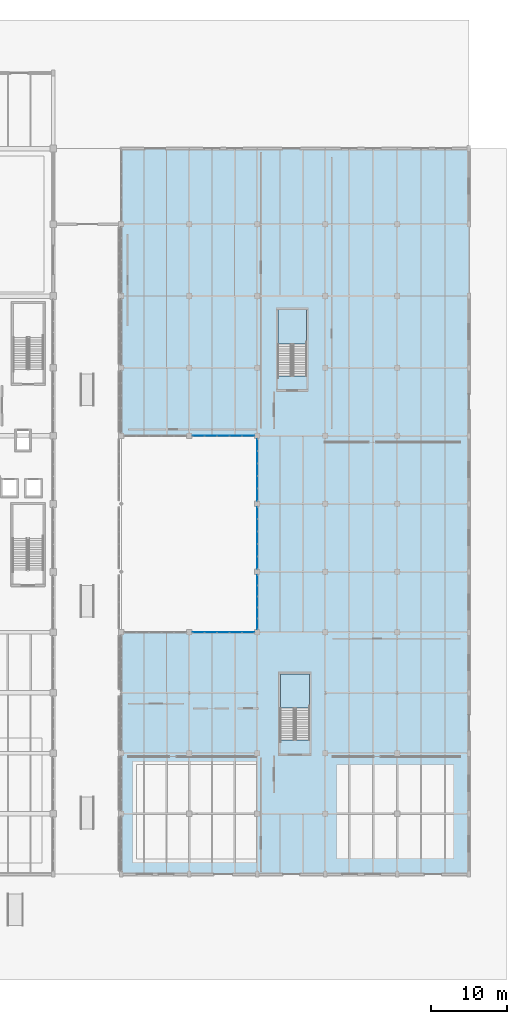
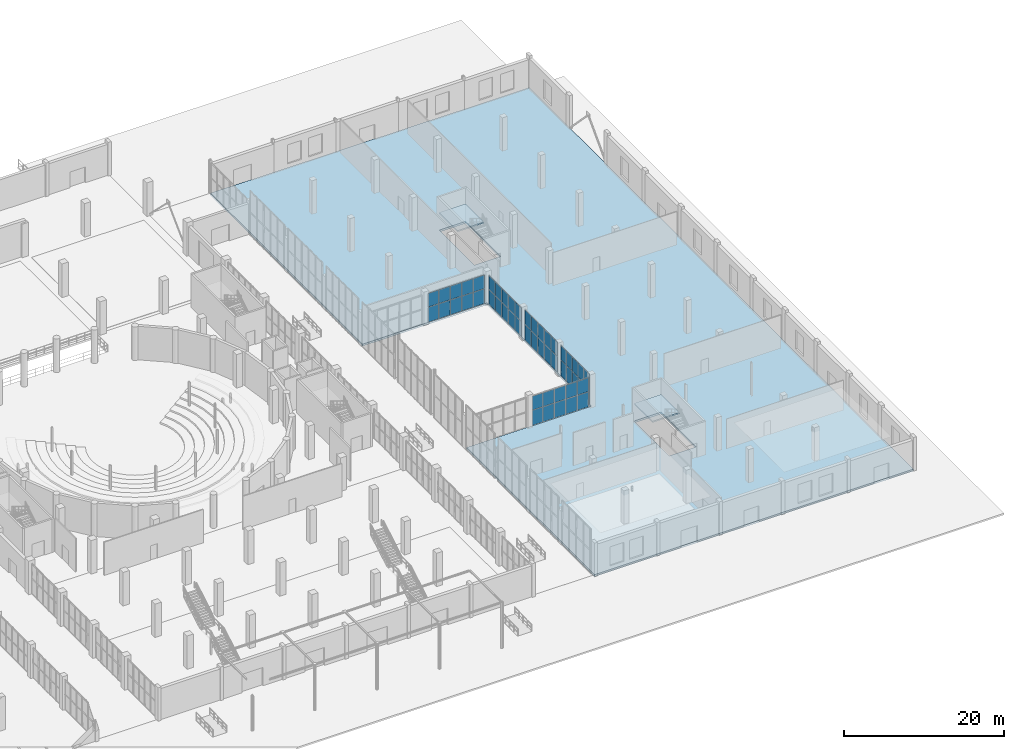
# One storey, part 75 of 103: 50 plates, 3 slabs, 7 elements without a shape of their own.
"""IFC4 building model written with IfcOpenShell, lengths in metres."""

from ifc_helpers import new_model, si_unit, direction, frame, origin, origin_2d, place, context, subcontext, project, spatial, polyline, rectangle, outline, extrude, material, layer, layer_set, type_object, element, aggregate, save


model = new_model("IFC4")

# Units and contexts
model_context = context("Model", 3, precision=1e-05, world=origin(), true_north=direction((0.0, 1.0)))
body_context = subcontext(model_context, "Body", "Model", "MODEL_VIEW")
ifc_project = project(units=[si_unit("LENGTHUNIT", "METRE"), si_unit("AREAUNIT", "SQUARE_METRE"), si_unit("VOLUMEUNIT", "CUBIC_METRE"), si_unit("PLANEANGLEUNIT", "RADIAN"), si_unit("MASSUNIT", "GRAM", prefix="KILO")], contexts=[model_context])

# Site, building, storey
site_placement = place(None, origin())
site = spatial("IfcSite", under=ifc_project, at=site_placement, CompositionType="ELEMENT")
building_placement = place(site_placement, origin())
building = spatial("IfcBuilding", under=site, at=building_placement, Name="Marnock Terrace Opera House", CompositionType="ELEMENT")
storey_placement = place(building_placement, origin())
storey = spatial("IfcBuildingStorey", under=building, at=storey_placement, Name="L00", CompositionType="ELEMENT", Elevation=0.0)

# Curtain wall, plates
ifc_material_1 = material(Name="Anodised architectural bronze aluminium framing", Category="aluminium")
ifc_layer_1 = layer(ifc_material_1, 0.159912109375)
ifc_layer_set_1 = layer_set([ifc_layer_1], Name="Anodised architectural bronze aluminium framing")
curtain_wall_type = type_object("IfcCurtainWallType", Name="CW-LOGGIA-86x51", PredefinedType="NOTDEFINED", material=ifc_layer_set_1)
curtain_wall_1_placement = place(storey_placement, origin())
curtain_wall_1 = element("IfcCurtainWall", 1, at=curtain_wall_1_placement, inside=storey, type_object=curtain_wall_type, Name="L00 glazed Beaux-Arts colonnade curtain wall CW-V5-L00-CS2", PredefinedType="NOTDEFINED")
ifc_material_2 = material(Name="Double-glazed acoustic low-E laminated glass", Category="glass")
ifc_layer_2 = layer(ifc_material_2, 0.028076171875)
ifc_layer_set_2 = layer_set([ifc_layer_2], Name="Double-glazed acoustic low-E laminated glass")
plate_type = type_object("IfcPlateType", Name="CWP-GLZ-28", PredefinedType="CURTAIN_PANEL", material=ifc_layer_set_2)
plate_1_placement = place(storey_placement, frame((128.2119140625, 40.0, 0.06005859375), z_axis=(0.0, 0.0, 1.0), x_axis=(1.0, 0.0, 0.0)))
plate_1 = element("IfcPlate", 2, at=plate_1_placement, type_object=plate_type, Name="CW-96 panel 1.1", PredefinedType="CURTAIN_PANEL", context=body_context, shape_type="SweptSolid", body=[
    extrude(rectangle(XDim=1.5615234375, YDim=0.028076171875, at=origin_2d()), origin(), (0.0, 0.0, 1.0), 2.279541015625),
])
plate_2_placement = place(storey_placement, frame((128.2119140625, 40.0, 2.3994140625), z_axis=(0.0, 0.0, 1.0), x_axis=(1.0, 0.0, 0.0)))
plate_2 = element("IfcPlate", 3, at=plate_2_placement, type_object=plate_type, Name="CW-96 panel 1.2", PredefinedType="CURTAIN_PANEL", context=body_context, shape_type="SweptSolid", body=[
    extrude(rectangle(XDim=1.5615234375, YDim=0.028076171875, at=origin_2d()), origin(), (0.0, 0.0, 1.0), 2.097412109375),
])
plate_3_placement = place(storey_placement, frame((129.848388671875, 40.0, 0.06005859375), z_axis=(0.0, 0.0, 1.0), x_axis=(1.0, 0.0, 0.0)))
plate_3 = element("IfcPlate", 4, at=plate_3_placement, type_object=plate_type, Name="CW-96 panel 2.1", PredefinedType="CURTAIN_PANEL", context=body_context, shape_type="SweptSolid", body=[
    extrude(rectangle(XDim=1.591552734375, YDim=0.028076171875, at=origin_2d()), origin(), (0.0, 0.0, 1.0), 2.279541015625),
])
plate_4_placement = place(storey_placement, frame((129.848388671875, 40.0, 2.3994140625), z_axis=(0.0, 0.0, 1.0), x_axis=(1.0, 0.0, 0.0)))
plate_4 = element("IfcPlate", 5, at=plate_4_placement, type_object=plate_type, Name="CW-96 panel 2.2", PredefinedType="CURTAIN_PANEL", context=body_context, shape_type="SweptSolid", body=[
    extrude(rectangle(XDim=1.591552734375, YDim=0.028076171875, at=origin_2d()), origin(), (0.0, 0.0, 1.0), 2.097412109375),
])
plate_5_placement = place(storey_placement, frame((131.5, 40.0, 0.06005859375), z_axis=(0.0, 0.0, 1.0), x_axis=(1.0, 0.0, 0.0)))
plate_5 = element("IfcPlate", 6, at=plate_5_placement, type_object=plate_type, Name="CW-96 panel 3.1", PredefinedType="CURTAIN_PANEL", context=body_context, shape_type="SweptSolid", body=[
    extrude(rectangle(XDim=1.591552734375, YDim=0.028076171875, at=origin_2d()), origin(), (0.0, 0.0, 1.0), 2.279541015625),
])
plate_6_placement = place(storey_placement, frame((131.5, 40.0, 2.3994140625), z_axis=(0.0, 0.0, 1.0), x_axis=(1.0, 0.0, 0.0)))
plate_6 = element("IfcPlate", 7, at=plate_6_placement, type_object=plate_type, Name="CW-96 panel 3.2", PredefinedType="CURTAIN_PANEL", context=body_context, shape_type="SweptSolid", body=[
    extrude(rectangle(XDim=1.591552734375, YDim=0.028076171875, at=origin_2d()), origin(), (0.0, 0.0, 1.0), 2.097412109375),
])
plate_7_placement = place(storey_placement, frame((133.151611328125, 40.0, 0.06005859375), z_axis=(0.0, 0.0, 1.0), x_axis=(1.0, 0.0, 0.0)))
plate_7 = element("IfcPlate", 8, at=plate_7_placement, type_object=plate_type, Name="CW-96 panel 4.1", PredefinedType="CURTAIN_PANEL", context=body_context, shape_type="SweptSolid", body=[
    extrude(rectangle(XDim=1.591552734375, YDim=0.028076171875, at=origin_2d()), origin(), (0.0, 0.0, 1.0), 2.279541015625),
])
plate_8_placement = place(storey_placement, frame((133.151611328125, 40.0, 2.3994140625), z_axis=(0.0, 0.0, 1.0), x_axis=(1.0, 0.0, 0.0)))
plate_8 = element("IfcPlate", 9, at=plate_8_placement, type_object=plate_type, Name="CW-96 panel 4.2", PredefinedType="CURTAIN_PANEL", context=body_context, shape_type="SweptSolid", body=[
    extrude(rectangle(XDim=1.591552734375, YDim=0.028076171875, at=origin_2d()), origin(), (0.0, 0.0, 1.0), 2.097412109375),
])
plate_9_placement = place(storey_placement, frame((134.7880859375, 40.0, 0.06005859375), z_axis=(0.0, 0.0, 1.0), x_axis=(1.0, 0.0, 0.0)))
plate_9 = element("IfcPlate", 10, at=plate_9_placement, type_object=plate_type, Name="CW-96 panel 5.1", PredefinedType="CURTAIN_PANEL", context=body_context, shape_type="SweptSolid", body=[
    extrude(rectangle(XDim=1.5615234375, YDim=0.028076171875, at=origin_2d()), origin(), (0.0, 0.0, 1.0), 2.279541015625),
])
plate_10_placement = place(storey_placement, frame((134.7880859375, 40.0, 2.3994140625), z_axis=(0.0, 0.0, 1.0), x_axis=(1.0, 0.0, 0.0)))
plate_10 = element("IfcPlate", 11, at=plate_10_placement, type_object=plate_type, Name="CW-96 panel 5.2", PredefinedType="CURTAIN_PANEL", context=body_context, shape_type="SweptSolid", body=[
    extrude(rectangle(XDim=1.5615234375, YDim=0.028076171875, at=origin_2d()), origin(), (0.0, 0.0, 1.0), 2.097412109375),
])
aggregate(curtain_wall_1, [plate_1, plate_2, plate_3, plate_4, plate_5, plate_6, plate_7, plate_8, plate_9, plate_10])

curtain_wall_2_placement = place(storey_placement, origin())
curtain_wall_2 = element("IfcCurtainWall", 12, at=curtain_wall_2_placement, inside=storey, type_object=curtain_wall_type, Name="L00 glazed Beaux-Arts colonnade curtain wall CW-V5-L00-CE1", PredefinedType="NOTDEFINED")
plate_11_placement = place(storey_placement, frame((136.0, 41.11181640625, 0.06005859375), z_axis=(0.0, 0.0, 1.0), x_axis=(0.0, 1.0, 0.0)))
plate_11 = element("IfcPlate", 13, at=plate_11_placement, type_object=plate_type, Name="CW-96 panel 1.1", PredefinedType="CURTAIN_PANEL", context=body_context, shape_type="SweptSolid", body=[
    extrude(rectangle(XDim=1.361572265625, YDim=0.028076171875, at=origin_2d()), origin(), (0.0, 0.0, 1.0), 2.371826171875),
])
plate_12_placement = place(storey_placement, frame((136.0, 41.11181640625, 2.491943359375), z_axis=(0.0, 0.0, 1.0), x_axis=(0.0, 1.0, 0.0)))
plate_12 = element("IfcPlate", 14, at=plate_12_placement, type_object=plate_type, Name="CW-96 panel 1.2", PredefinedType="CURTAIN_PANEL", context=body_context, shape_type="SweptSolid", body=[
    extrude(rectangle(XDim=1.361572265625, YDim=0.028076171875, at=origin_2d()), origin(), (0.0, 0.0, 1.0), 2.1826171875),
])
plate_13_placement = place(storey_placement, frame((136.0, 42.54833984375, 0.06005859375), z_axis=(0.0, 0.0, 1.0), x_axis=(0.0, 1.0, 0.0)))
plate_13 = element("IfcPlate", 15, at=plate_13_placement, type_object=plate_type, Name="CW-96 panel 2.1", PredefinedType="CURTAIN_PANEL", context=body_context, shape_type="SweptSolid", body=[
    extrude(rectangle(XDim=1.3916015625, YDim=0.028076171875, at=origin_2d()), origin(), (0.0, 0.0, 1.0), 2.371826171875),
])
plate_14_placement = place(storey_placement, frame((136.0, 42.54833984375, 2.491943359375), z_axis=(0.0, 0.0, 1.0), x_axis=(0.0, 1.0, 0.0)))
plate_14 = element("IfcPlate", 16, at=plate_14_placement, type_object=plate_type, Name="CW-96 panel 2.2", PredefinedType="CURTAIN_PANEL", context=body_context, shape_type="SweptSolid", body=[
    extrude(rectangle(XDim=1.3916015625, YDim=0.028076171875, at=origin_2d()), origin(), (0.0, 0.0, 1.0), 2.1826171875),
])
plate_15_placement = place(storey_placement, frame((136.0, 44.0, 0.06005859375), z_axis=(0.0, 0.0, 1.0), x_axis=(0.0, 1.0, 0.0)))
plate_15 = element("IfcPlate", 17, at=plate_15_placement, type_object=plate_type, Name="CW-96 panel 3.1", PredefinedType="CURTAIN_PANEL", context=body_context, shape_type="SweptSolid", body=[
    extrude(rectangle(XDim=1.3916015625, YDim=0.028076171875, at=origin_2d()), origin(), (0.0, 0.0, 1.0), 2.371826171875),
])
plate_16_placement = place(storey_placement, frame((136.0, 44.0, 2.491943359375), z_axis=(0.0, 0.0, 1.0), x_axis=(0.0, 1.0, 0.0)))
plate_16 = element("IfcPlate", 18, at=plate_16_placement, type_object=plate_type, Name="CW-96 panel 3.2", PredefinedType="CURTAIN_PANEL", context=body_context, shape_type="SweptSolid", body=[
    extrude(rectangle(XDim=1.3916015625, YDim=0.028076171875, at=origin_2d()), origin(), (0.0, 0.0, 1.0), 2.1826171875),
])
plate_17_placement = place(storey_placement, frame((136.0, 45.45166015625, 0.06005859375), z_axis=(0.0, 0.0, 1.0), x_axis=(0.0, 1.0, 0.0)))
plate_17 = element("IfcPlate", 19, at=plate_17_placement, type_object=plate_type, Name="CW-96 panel 4.1", PredefinedType="CURTAIN_PANEL", context=body_context, shape_type="SweptSolid", body=[
    extrude(rectangle(XDim=1.3916015625, YDim=0.028076171875, at=origin_2d()), origin(), (0.0, 0.0, 1.0), 2.371826171875),
])
plate_18_placement = place(storey_placement, frame((136.0, 45.45166015625, 2.491943359375), z_axis=(0.0, 0.0, 1.0), x_axis=(0.0, 1.0, 0.0)))
plate_18 = element("IfcPlate", 20, at=plate_18_placement, type_object=plate_type, Name="CW-96 panel 4.2", PredefinedType="CURTAIN_PANEL", context=body_context, shape_type="SweptSolid", body=[
    extrude(rectangle(XDim=1.3916015625, YDim=0.028076171875, at=origin_2d()), origin(), (0.0, 0.0, 1.0), 2.1826171875),
])
plate_19_placement = place(storey_placement, frame((136.0, 46.88818359375, 0.06005859375), z_axis=(0.0, 0.0, 1.0), x_axis=(0.0, 1.0, 0.0)))
plate_19 = element("IfcPlate", 21, at=plate_19_placement, type_object=plate_type, Name="CW-96 panel 5.1", PredefinedType="CURTAIN_PANEL", context=body_context, shape_type="SweptSolid", body=[
    extrude(rectangle(XDim=1.361572265625, YDim=0.028076171875, at=origin_2d()), origin(), (0.0, 0.0, 1.0), 2.371826171875),
])
plate_20_placement = place(storey_placement, frame((136.0, 46.88818359375, 2.491943359375), z_axis=(0.0, 0.0, 1.0), x_axis=(0.0, 1.0, 0.0)))
plate_20 = element("IfcPlate", 22, at=plate_20_placement, type_object=plate_type, Name="CW-96 panel 5.2", PredefinedType="CURTAIN_PANEL", context=body_context, shape_type="SweptSolid", body=[
    extrude(rectangle(XDim=1.361572265625, YDim=0.028076171875, at=origin_2d()), origin(), (0.0, 0.0, 1.0), 2.1826171875),
])
aggregate(curtain_wall_2, [plate_11, plate_12, plate_13, plate_14, plate_15, plate_16, plate_17, plate_18, plate_19, plate_20])

curtain_wall_3_placement = place(storey_placement, origin())
curtain_wall_3 = element("IfcCurtainWall", 23, at=curtain_wall_3_placement, inside=storey, type_object=curtain_wall_type, Name="L00 glazed Beaux-Arts colonnade curtain wall CW-V5-L00-CE2", PredefinedType="NOTDEFINED")
plate_21_placement = place(storey_placement, frame((136.0, 49.2119140625, 0.06005859375), z_axis=(0.0, 0.0, 1.0), x_axis=(0.0, 1.0, 0.0)))
plate_21 = element("IfcPlate", 24, at=plate_21_placement, type_object=plate_type, Name="CW-96 panel 1.1", PredefinedType="CURTAIN_PANEL", context=body_context, shape_type="SweptSolid", body=[
    extrude(rectangle(XDim=1.5615234375, YDim=0.028076171875, at=origin_2d()), origin(), (0.0, 0.0, 1.0), 2.371826171875),
])
plate_22_placement = place(storey_placement, frame((136.0, 49.2119140625, 2.491943359375), z_axis=(0.0, 0.0, 1.0), x_axis=(0.0, 1.0, 0.0)))
plate_22 = element("IfcPlate", 25, at=plate_22_placement, type_object=plate_type, Name="CW-96 panel 1.2", PredefinedType="CURTAIN_PANEL", context=body_context, shape_type="SweptSolid", body=[
    extrude(rectangle(XDim=1.5615234375, YDim=0.028076171875, at=origin_2d()), origin(), (0.0, 0.0, 1.0), 2.1826171875),
])
plate_23_placement = place(storey_placement, frame((136.0, 50.848388671875, 0.06005859375), z_axis=(0.0, 0.0, 1.0), x_axis=(0.0, 1.0, 0.0)))
plate_23 = element("IfcPlate", 26, at=plate_23_placement, type_object=plate_type, Name="CW-96 panel 2.1", PredefinedType="CURTAIN_PANEL", context=body_context, shape_type="SweptSolid", body=[
    extrude(rectangle(XDim=1.591552734375, YDim=0.028076171875, at=origin_2d()), origin(), (0.0, 0.0, 1.0), 2.371826171875),
])
plate_24_placement = place(storey_placement, frame((136.0, 50.848388671875, 2.491943359375), z_axis=(0.0, 0.0, 1.0), x_axis=(0.0, 1.0, 0.0)))
plate_24 = element("IfcPlate", 27, at=plate_24_placement, type_object=plate_type, Name="CW-96 panel 2.2", PredefinedType="CURTAIN_PANEL", context=body_context, shape_type="SweptSolid", body=[
    extrude(rectangle(XDim=1.591552734375, YDim=0.028076171875, at=origin_2d()), origin(), (0.0, 0.0, 1.0), 2.1826171875),
])
plate_25_placement = place(storey_placement, frame((136.0, 52.5, 0.06005859375), z_axis=(0.0, 0.0, 1.0), x_axis=(0.0, 1.0, 0.0)))
plate_25 = element("IfcPlate", 28, at=plate_25_placement, type_object=plate_type, Name="CW-96 panel 3.1", PredefinedType="CURTAIN_PANEL", context=body_context, shape_type="SweptSolid", body=[
    extrude(rectangle(XDim=1.591552734375, YDim=0.028076171875, at=origin_2d()), origin(), (0.0, 0.0, 1.0), 2.371826171875),
])
plate_26_placement = place(storey_placement, frame((136.0, 52.5, 2.491943359375), z_axis=(0.0, 0.0, 1.0), x_axis=(0.0, 1.0, 0.0)))
plate_26 = element("IfcPlate", 29, at=plate_26_placement, type_object=plate_type, Name="CW-96 panel 3.2", PredefinedType="CURTAIN_PANEL", context=body_context, shape_type="SweptSolid", body=[
    extrude(rectangle(XDim=1.591552734375, YDim=0.028076171875, at=origin_2d()), origin(), (0.0, 0.0, 1.0), 2.1826171875),
])
plate_27_placement = place(storey_placement, frame((136.0, 54.151611328125, 0.06005859375), z_axis=(0.0, 0.0, 1.0), x_axis=(0.0, 1.0, 0.0)))
plate_27 = element("IfcPlate", 30, at=plate_27_placement, type_object=plate_type, Name="CW-96 panel 4.1", PredefinedType="CURTAIN_PANEL", context=body_context, shape_type="SweptSolid", body=[
    extrude(rectangle(XDim=1.591552734375, YDim=0.028076171875, at=origin_2d()), origin(), (0.0, 0.0, 1.0), 2.371826171875),
])
plate_28_placement = place(storey_placement, frame((136.0, 54.151611328125, 2.491943359375), z_axis=(0.0, 0.0, 1.0), x_axis=(0.0, 1.0, 0.0)))
plate_28 = element("IfcPlate", 31, at=plate_28_placement, type_object=plate_type, Name="CW-96 panel 4.2", PredefinedType="CURTAIN_PANEL", context=body_context, shape_type="SweptSolid", body=[
    extrude(rectangle(XDim=1.591552734375, YDim=0.028076171875, at=origin_2d()), origin(), (0.0, 0.0, 1.0), 2.1826171875),
])
plate_29_placement = place(storey_placement, frame((136.0, 55.7880859375, 0.06005859375), z_axis=(0.0, 0.0, 1.0), x_axis=(0.0, 1.0, 0.0)))
plate_29 = element("IfcPlate", 32, at=plate_29_placement, type_object=plate_type, Name="CW-96 panel 5.1", PredefinedType="CURTAIN_PANEL", context=body_context, shape_type="SweptSolid", body=[
    extrude(rectangle(XDim=1.5615234375, YDim=0.028076171875, at=origin_2d()), origin(), (0.0, 0.0, 1.0), 2.371826171875),
])
plate_30_placement = place(storey_placement, frame((136.0, 55.7880859375, 2.491943359375), z_axis=(0.0, 0.0, 1.0), x_axis=(0.0, 1.0, 0.0)))
plate_30 = element("IfcPlate", 33, at=plate_30_placement, type_object=plate_type, Name="CW-96 panel 5.2", PredefinedType="CURTAIN_PANEL", context=body_context, shape_type="SweptSolid", body=[
    extrude(rectangle(XDim=1.5615234375, YDim=0.028076171875, at=origin_2d()), origin(), (0.0, 0.0, 1.0), 2.1826171875),
])
aggregate(curtain_wall_3, [plate_21, plate_22, plate_23, plate_24, plate_25, plate_26, plate_27, plate_28, plate_29, plate_30])

curtain_wall_4_placement = place(storey_placement, origin())
curtain_wall_4 = element("IfcCurtainWall", 34, at=curtain_wall_4_placement, inside=storey, type_object=curtain_wall_type, Name="L00 glazed Beaux-Arts colonnade curtain wall CW-V5-L00-CE3", PredefinedType="NOTDEFINED")
plate_31_placement = place(storey_placement, frame((136.0, 58.2119140625, 0.06005859375), z_axis=(0.0, 0.0, 1.0), x_axis=(0.0, 1.0, 0.0)))
plate_31 = element("IfcPlate", 35, at=plate_31_placement, type_object=plate_type, Name="CW-96 panel 1.1", PredefinedType="CURTAIN_PANEL", context=body_context, shape_type="SweptSolid", body=[
    extrude(rectangle(XDim=1.5615234375, YDim=0.028076171875, at=origin_2d()), origin(), (0.0, 0.0, 1.0), 2.243896484375),
])
plate_32_placement = place(storey_placement, frame((136.0, 58.2119140625, 2.36376953125), z_axis=(0.0, 0.0, 1.0), x_axis=(0.0, 1.0, 0.0)))
plate_32 = element("IfcPlate", 36, at=plate_32_placement, type_object=plate_type, Name="CW-96 panel 1.2", PredefinedType="CURTAIN_PANEL", context=body_context, shape_type="SweptSolid", body=[
    extrude(rectangle(XDim=1.5615234375, YDim=0.028076171875, at=origin_2d()), origin(), (0.0, 0.0, 1.0), 2.064208984375),
])
plate_33_placement = place(storey_placement, frame((136.0, 59.848388671875, 0.06005859375), z_axis=(0.0, 0.0, 1.0), x_axis=(0.0, 1.0, 0.0)))
plate_33 = element("IfcPlate", 37, at=plate_33_placement, type_object=plate_type, Name="CW-96 panel 2.1", PredefinedType="CURTAIN_PANEL", context=body_context, shape_type="SweptSolid", body=[
    extrude(rectangle(XDim=1.591552734375, YDim=0.028076171875, at=origin_2d()), origin(), (0.0, 0.0, 1.0), 2.243896484375),
])
plate_34_placement = place(storey_placement, frame((136.0, 59.848388671875, 2.36376953125), z_axis=(0.0, 0.0, 1.0), x_axis=(0.0, 1.0, 0.0)))
plate_34 = element("IfcPlate", 38, at=plate_34_placement, type_object=plate_type, Name="CW-96 panel 2.2", PredefinedType="CURTAIN_PANEL", context=body_context, shape_type="SweptSolid", body=[
    extrude(rectangle(XDim=1.591552734375, YDim=0.028076171875, at=origin_2d()), origin(), (0.0, 0.0, 1.0), 2.064208984375),
])
plate_35_placement = place(storey_placement, frame((136.0, 61.5, 0.06005859375), z_axis=(0.0, 0.0, 1.0), x_axis=(0.0, 1.0, 0.0)))
plate_35 = element("IfcPlate", 39, at=plate_35_placement, type_object=plate_type, Name="CW-96 panel 3.1", PredefinedType="CURTAIN_PANEL", context=body_context, shape_type="SweptSolid", body=[
    extrude(rectangle(XDim=1.591552734375, YDim=0.028076171875, at=origin_2d()), origin(), (0.0, 0.0, 1.0), 2.243896484375),
])
plate_36_placement = place(storey_placement, frame((136.0, 61.5, 2.36376953125), z_axis=(0.0, 0.0, 1.0), x_axis=(0.0, 1.0, 0.0)))
plate_36 = element("IfcPlate", 40, at=plate_36_placement, type_object=plate_type, Name="CW-96 panel 3.2", PredefinedType="CURTAIN_PANEL", context=body_context, shape_type="SweptSolid", body=[
    extrude(rectangle(XDim=1.591552734375, YDim=0.028076171875, at=origin_2d()), origin(), (0.0, 0.0, 1.0), 2.064208984375),
])
plate_37_placement = place(storey_placement, frame((136.0, 63.151611328125, 0.06005859375), z_axis=(0.0, 0.0, 1.0), x_axis=(0.0, 1.0, 0.0)))
plate_37 = element("IfcPlate", 41, at=plate_37_placement, type_object=plate_type, Name="CW-96 panel 4.1", PredefinedType="CURTAIN_PANEL", context=body_context, shape_type="SweptSolid", body=[
    extrude(rectangle(XDim=1.591552734375, YDim=0.028076171875, at=origin_2d()), origin(), (0.0, 0.0, 1.0), 2.243896484375),
])
plate_38_placement = place(storey_placement, frame((136.0, 63.151611328125, 2.36376953125), z_axis=(0.0, 0.0, 1.0), x_axis=(0.0, 1.0, 0.0)))
plate_38 = element("IfcPlate", 42, at=plate_38_placement, type_object=plate_type, Name="CW-96 panel 4.2", PredefinedType="CURTAIN_PANEL", context=body_context, shape_type="SweptSolid", body=[
    extrude(rectangle(XDim=1.591552734375, YDim=0.028076171875, at=origin_2d()), origin(), (0.0, 0.0, 1.0), 2.064208984375),
])
plate_39_placement = place(storey_placement, frame((136.0, 64.7880859375, 0.06005859375), z_axis=(0.0, 0.0, 1.0), x_axis=(0.0, 1.0, 0.0)))
plate_39 = element("IfcPlate", 43, at=plate_39_placement, type_object=plate_type, Name="CW-96 panel 5.1", PredefinedType="CURTAIN_PANEL", context=body_context, shape_type="SweptSolid", body=[
    extrude(rectangle(XDim=1.5615234375, YDim=0.028076171875, at=origin_2d()), origin(), (0.0, 0.0, 1.0), 2.243896484375),
])
plate_40_placement = place(storey_placement, frame((136.0, 64.7880859375, 2.36376953125), z_axis=(0.0, 0.0, 1.0), x_axis=(0.0, 1.0, 0.0)))
plate_40 = element("IfcPlate", 44, at=plate_40_placement, type_object=plate_type, Name="CW-96 panel 5.2", PredefinedType="CURTAIN_PANEL", context=body_context, shape_type="SweptSolid", body=[
    extrude(rectangle(XDim=1.5615234375, YDim=0.028076171875, at=origin_2d()), origin(), (0.0, 0.0, 1.0), 2.064208984375),
])
aggregate(curtain_wall_4, [plate_31, plate_32, plate_33, plate_34, plate_35, plate_36, plate_37, plate_38, plate_39, plate_40])

curtain_wall_5_placement = place(storey_placement, origin())
curtain_wall_5 = element("IfcCurtainWall", 45, at=curtain_wall_5_placement, inside=storey, type_object=curtain_wall_type, Name="L00 glazed Beaux-Arts colonnade curtain wall CW-V5-L00-CN2", PredefinedType="NOTDEFINED")
plate_41_placement = place(storey_placement, frame((128.2119140625, 66.0, 0.06005859375), z_axis=(0.0, 0.0, 1.0), x_axis=(1.0, 0.0, 0.0)))
plate_41 = element("IfcPlate", 46, at=plate_41_placement, type_object=plate_type, Name="CW-96 panel 1.1", PredefinedType="CURTAIN_PANEL", context=body_context, shape_type="SweptSolid", body=[
    extrude(rectangle(XDim=1.5615234375, YDim=0.028076171875, at=origin_2d()), origin(), (0.0, 0.0, 1.0), 2.23876953125),
])
plate_42_placement = place(storey_placement, frame((128.2119140625, 66.0, 2.35888671875), z_axis=(0.0, 0.0, 1.0), x_axis=(1.0, 0.0, 0.0)))
plate_42 = element("IfcPlate", 47, at=plate_42_placement, type_object=plate_type, Name="CW-96 panel 1.2", PredefinedType="CURTAIN_PANEL", context=body_context, shape_type="SweptSolid", body=[
    extrude(rectangle(XDim=1.5615234375, YDim=0.028076171875, at=origin_2d()), origin(), (0.0, 0.0, 1.0), 2.0595703125),
])
plate_43_placement = place(storey_placement, frame((129.848388671875, 66.0, 0.06005859375), z_axis=(0.0, 0.0, 1.0), x_axis=(1.0, 0.0, 0.0)))
plate_43 = element("IfcPlate", 48, at=plate_43_placement, type_object=plate_type, Name="CW-96 panel 2.1", PredefinedType="CURTAIN_PANEL", context=body_context, shape_type="SweptSolid", body=[
    extrude(rectangle(XDim=1.591552734375, YDim=0.028076171875, at=origin_2d()), origin(), (0.0, 0.0, 1.0), 2.23876953125),
])
plate_44_placement = place(storey_placement, frame((129.848388671875, 66.0, 2.35888671875), z_axis=(0.0, 0.0, 1.0), x_axis=(1.0, 0.0, 0.0)))
plate_44 = element("IfcPlate", 49, at=plate_44_placement, type_object=plate_type, Name="CW-96 panel 2.2", PredefinedType="CURTAIN_PANEL", context=body_context, shape_type="SweptSolid", body=[
    extrude(rectangle(XDim=1.591552734375, YDim=0.028076171875, at=origin_2d()), origin(), (0.0, 0.0, 1.0), 2.0595703125),
])
plate_45_placement = place(storey_placement, frame((131.5, 66.0, 0.06005859375), z_axis=(0.0, 0.0, 1.0), x_axis=(1.0, 0.0, 0.0)))
plate_45 = element("IfcPlate", 50, at=plate_45_placement, type_object=plate_type, Name="CW-96 panel 3.1", PredefinedType="CURTAIN_PANEL", context=body_context, shape_type="SweptSolid", body=[
    extrude(rectangle(XDim=1.591552734375, YDim=0.028076171875, at=origin_2d()), origin(), (0.0, 0.0, 1.0), 2.23876953125),
])
plate_46_placement = place(storey_placement, frame((131.5, 66.0, 2.35888671875), z_axis=(0.0, 0.0, 1.0), x_axis=(1.0, 0.0, 0.0)))
plate_46 = element("IfcPlate", 51, at=plate_46_placement, type_object=plate_type, Name="CW-96 panel 3.2", PredefinedType="CURTAIN_PANEL", context=body_context, shape_type="SweptSolid", body=[
    extrude(rectangle(XDim=1.591552734375, YDim=0.028076171875, at=origin_2d()), origin(), (0.0, 0.0, 1.0), 2.0595703125),
])
plate_47_placement = place(storey_placement, frame((133.151611328125, 66.0, 0.06005859375), z_axis=(0.0, 0.0, 1.0), x_axis=(1.0, 0.0, 0.0)))
plate_47 = element("IfcPlate", 52, at=plate_47_placement, type_object=plate_type, Name="CW-96 panel 4.1", PredefinedType="CURTAIN_PANEL", context=body_context, shape_type="SweptSolid", body=[
    extrude(rectangle(XDim=1.591552734375, YDim=0.028076171875, at=origin_2d()), origin(), (0.0, 0.0, 1.0), 2.23876953125),
])
plate_48_placement = place(storey_placement, frame((133.151611328125, 66.0, 2.35888671875), z_axis=(0.0, 0.0, 1.0), x_axis=(1.0, 0.0, 0.0)))
plate_48 = element("IfcPlate", 53, at=plate_48_placement, type_object=plate_type, Name="CW-96 panel 4.2", PredefinedType="CURTAIN_PANEL", context=body_context, shape_type="SweptSolid", body=[
    extrude(rectangle(XDim=1.591552734375, YDim=0.028076171875, at=origin_2d()), origin(), (0.0, 0.0, 1.0), 2.0595703125),
])
plate_49_placement = place(storey_placement, frame((134.7880859375, 66.0, 0.06005859375), z_axis=(0.0, 0.0, 1.0), x_axis=(1.0, 0.0, 0.0)))
plate_49 = element("IfcPlate", 54, at=plate_49_placement, type_object=plate_type, Name="CW-96 panel 5.1", PredefinedType="CURTAIN_PANEL", context=body_context, shape_type="SweptSolid", body=[
    extrude(rectangle(XDim=1.5615234375, YDim=0.028076171875, at=origin_2d()), origin(), (0.0, 0.0, 1.0), 2.23876953125),
])
plate_50_placement = place(storey_placement, frame((134.7880859375, 66.0, 2.35888671875), z_axis=(0.0, 0.0, 1.0), x_axis=(1.0, 0.0, 0.0)))
plate_50 = element("IfcPlate", 55, at=plate_50_placement, type_object=plate_type, Name="CW-96 panel 5.2", PredefinedType="CURTAIN_PANEL", context=body_context, shape_type="SweptSolid", body=[
    extrude(rectangle(XDim=1.5615234375, YDim=0.028076171875, at=origin_2d()), origin(), (0.0, 0.0, 1.0), 2.0595703125),
])
aggregate(curtain_wall_5, [plate_41, plate_42, plate_43, plate_44, plate_45, plate_46, plate_47, plate_48, plate_49, plate_50])

# Slab
ifc_material_3 = material(Name="Concrete N40 (f'c = 40 MPa)", Category="concrete")
ifc_layer_3 = layer(ifc_material_3, 0.300048828125)
ifc_layer_set_3 = layer_set([ifc_layer_3], Name="Concrete N40 (f'c = 40 MPa)")
slab_type_1 = type_object("IfcSlabType", Name="SL-FLR-300", PredefinedType="FLOOR", material=ifc_layer_set_3)
slab_1_placement = place(storey_placement, frame((0.0, 0.0, -0.300048828125)))
element("IfcSlab", 56, at=slab_1_placement, inside=storey, type_object=slab_type_1, Name="L00 Artist Suites C-wing floor slab", PredefinedType="FLOOR", context=body_context, shape_type="SweptSolid", body=[
    extrude(outline(polyline([(118.0, 8.0), (164.0, 8.0), (164.0, 104.0), (118.0, 104.0), (118.0, 66.0), (136.0, 66.0), (136.0, 40.0), (118.0, 40.0), (118.0, 8.0)]), holes=[polyline([(142.919921875, 25.760009765625), (142.919921875, 34.52001953125), (139.0400390625, 34.52001953125), (139.0400390625, 25.760009765625), (142.919921875, 25.760009765625)]), polyline([(142.52001953125, 73.919921875), (142.52001953125, 82.719970703125), (138.719970703125, 82.719970703125), (138.719970703125, 73.919921875), (142.52001953125, 73.919921875)])]), origin(), (0.0, 0.0, 1.0), 0.300048828125),
])

# Stair, slab
stair_type_1 = type_object("IfcStairType", Name="ST-TYPE-2200", PredefinedType="HALF_TURN_STAIR", material=ifc_material_3)
stair_1_placement = place(storey_placement, origin())
stair_1 = element("IfcStair", 57, at=stair_1_placement, inside=storey, type_object=stair_type_1, Name="L00 ST-06", PredefinedType="HALF_TURN_STAIR")
ifc_material_4 = material(Name="Concrete N32 (f'c = 32 MPa)", Category="concrete")
ifc_layer_4 = layer(ifc_material_4, 0.199951171875)
ifc_layer_set_4 = layer_set([ifc_layer_4], Name="Concrete N32 (f'c = 32 MPa)")
slab_type_2 = type_object("IfcSlabType", Name="SL-LAND-200", PredefinedType="LANDING", material=ifc_layer_set_4)
slab_2_placement = place(storey_placement, frame((0.0, 0.0, 2.5)))
slab_2 = element("IfcSlab", 58, at=slab_2_placement, type_object=slab_type_2, Name="ST-06 landing 1", PredefinedType="LANDING", context=body_context, shape_type="SweptSolid", body=[
    extrude(outline(polyline([(142.919921875, 29.9599609375), (142.919921875, 34.52001953125), (139.0400390625, 34.52001953125), (139.0400390625, 29.9599609375), (142.919921875, 29.9599609375)])), origin(), (0.0, 0.0, 1.0), 0.199951171875),
])
aggregate(stair_1, [slab_2])

stair_type_2 = type_object("IfcStairType", Name="ST-TYPE-2000", PredefinedType="HALF_TURN_STAIR", material=ifc_material_3)
stair_2_placement = place(storey_placement, origin())
stair_2 = element("IfcStair", 59, at=stair_2_placement, inside=storey, type_object=stair_type_2, Name="L00 ST-08", PredefinedType="HALF_TURN_STAIR")
slab_3_placement = place(storey_placement, frame((0.0, 0.0, 2.5)))
slab_3 = element("IfcSlab", 60, at=slab_3_placement, type_object=slab_type_2, Name="ST-08 landing 1", PredefinedType="LANDING", context=body_context, shape_type="SweptSolid", body=[
    extrude(outline(polyline([(142.52001953125, 78.1201171875), (142.52001953125, 82.719970703125), (138.719970703125, 82.719970703125), (138.719970703125, 78.1201171875), (142.52001953125, 78.1201171875)])), origin(), (0.0, 0.0, 1.0), 0.199951171875),
])
aggregate(stair_2, [slab_3])

save(model, "model.ifc")
